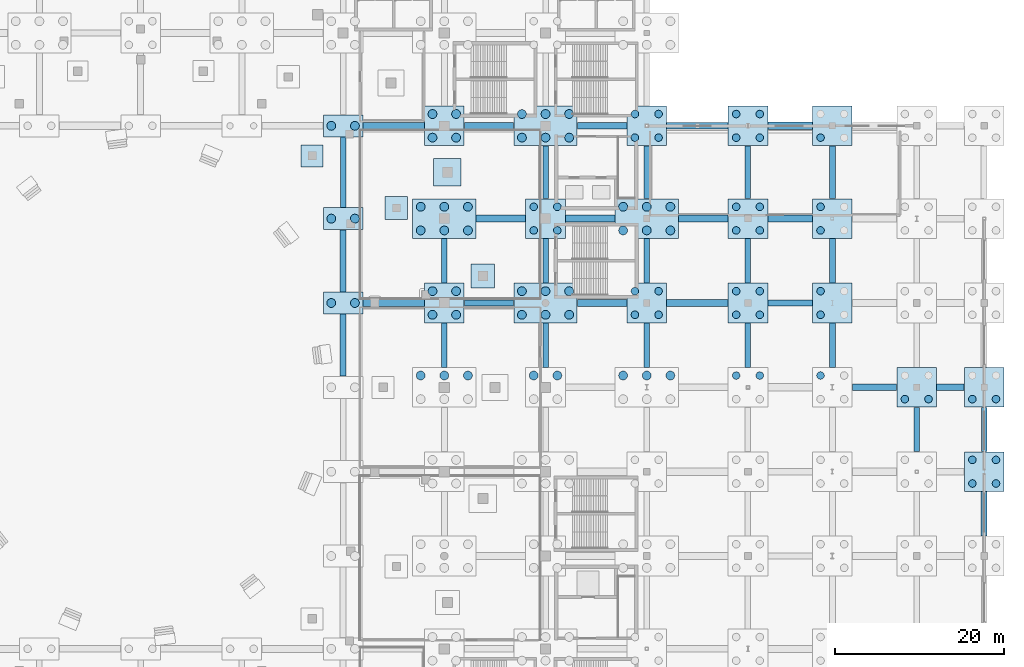
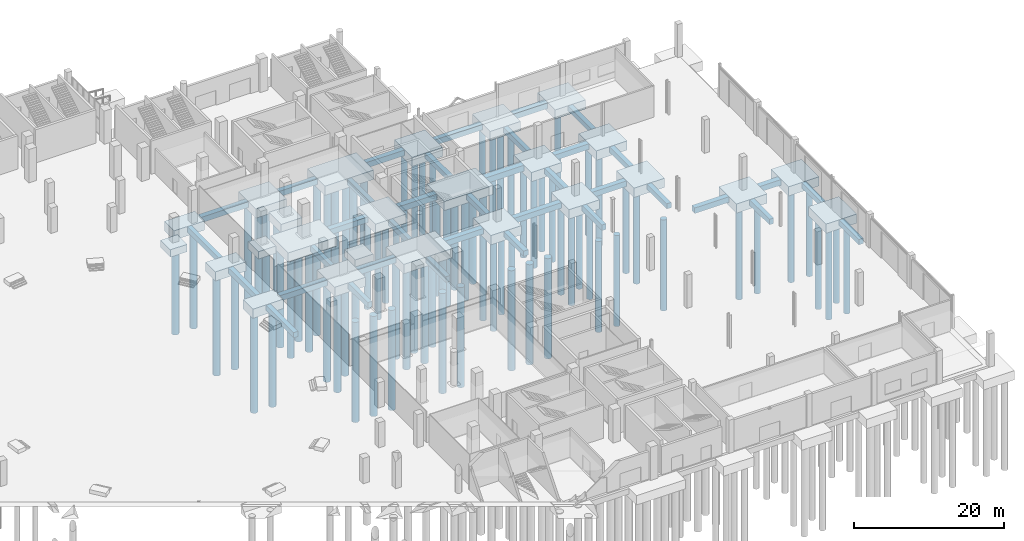
# One storey, part 8 of 70: 86 piles, 61 footings.
"""IFC4 building model written with IfcOpenShell, lengths in metres."""

from ifc_helpers import new_model, si_unit, direction, frame, origin, origin_2d, place, context, subcontext, project, spatial, rectangle, circle, extrude, material, layer, layer_set, material_profile, profile_set, type_object, element, save


model = new_model("IFC4")

# Units and contexts
model_context = context("Model", 3, precision=1e-05, world=origin(), true_north=direction((0.0, 1.0)))
body_context = subcontext(model_context, "Body", "Model", "MODEL_VIEW")
ifc_project = project(units=[si_unit("LENGTHUNIT", "METRE"), si_unit("AREAUNIT", "SQUARE_METRE"), si_unit("VOLUMEUNIT", "CUBIC_METRE"), si_unit("PLANEANGLEUNIT", "RADIAN"), si_unit("MASSUNIT", "GRAM", prefix="KILO")], contexts=[model_context])

# Site, building, storey
site_placement = place(None, origin())
site = spatial("IfcSite", under=ifc_project, at=site_placement, CompositionType="ELEMENT")
building_placement = place(site_placement, origin())
building = spatial("IfcBuilding", under=site, at=building_placement, Name="Brinegate Civic Arena", CompositionType="ELEMENT")
storey_placement = place(building_placement, origin())
storey = spatial("IfcBuildingStorey", under=building, at=storey_placement, Name="L00", CompositionType="ELEMENT", Elevation=0.0)

# Footings
ifc_material = material(Name="Concrete C40/50", Category="concrete")
ifc_layer_1 = layer(ifc_material, 1.5, Name="Concrete C40/50")
ifc_layer_set_1 = layer_set([ifc_layer_1], Name="Concrete C40/50")
footing_type_1 = type_object("IfcFootingType", Name="CAP-2PILE-3800", PredefinedType="PILE_CAP", material=ifc_layer_set_1)
for number, where, z_axis, x_axis, name in (
    (1, (132.0, 72.0, -1.800048828125), (0.0, 0.0, 1.0), (1.0, 0.0, 0.0), "Pile Cap CAP-128 (12-H)"),
    (2, (132.0, 82.0, -1.800048828125), (0.0, 0.0, 1.0), (1.0, 0.0, 0.0), "Pile Cap CAP-129 (12-J)"),
    (3, (132.0, 93.0, -1.800048828125), (0.0, 0.0, 1.0), (1.0, 0.0, 0.0), "Pile Cap CAP-130 (12-K)"),
):
    element("IfcFooting", number, at=place(storey_placement, frame(where, z_axis=z_axis, x_axis=x_axis)), inside=storey, type_object=footing_type_1, Name=name, PredefinedType="PILE_CAP", context=body_context, shape_type="SweptSolid", body=[
        extrude(rectangle(XDim=4.699951171875, YDim=2.60009765625, at=origin_2d()), origin(), (0.0, 0.0, 1.0), 1.5),
    ])
ifc_layer_2 = layer(ifc_material, 1.5, Name="Concrete C40/50")
ifc_layer_set_2 = layer_set([ifc_layer_2], Name="Concrete C40/50")
footing_type_2 = type_object("IfcFootingType", Name="CAP-4PILE-3800", PredefinedType="PILE_CAP", material=ifc_layer_set_2)
for number, where, z_axis, x_axis, name in (
    (4, (144.0, 72.0, -1.800048828125), (0.0, 0.0, 1.0), (1.0, 0.0, 0.0), "Pile Cap CAP-140 (13-H)"),
    (5, (144.0, 93.0, -1.800048828125), (0.0, 0.0, 1.0), (1.0, 0.0, 0.0), "Pile Cap CAP-142 (13-K)"),
    (6, (156.0, 82.0, -1.800048828125), (0.0, 0.0, 1.0), (1.0, 0.0, 0.0), "Pile Cap CAP-152 (14-J)"),
    (7, (168.0, 72.0, -1.800048828125), (0.0, 0.0, 1.0), (1.0, 0.0, 0.0), "Pile Cap CAP-162 (15-H)"),
    (8, (168.0, 93.0, -1.800048828125), (0.0, 0.0, 1.0), (1.0, 0.0, 0.0), "Pile Cap CAP-164 (15-K)"),
    (9, (180.0, 72.0, -1.800048828125), (0.0, 0.0, 1.0), (1.0, 0.0, 0.0), "Pile Cap CAP-173 (16-H)"),
    (10, (180.0, 82.0, -1.800048828125), (0.0, 0.0, 1.0), (1.0, 0.0, 0.0), "Pile Cap CAP-174 (16-J)"),
    (11, (180.0, 93.0, -1.800048828125), (0.0, 0.0, 1.0), (1.0, 0.0, 0.0), "Pile Cap CAP-175 (16-K)"),
    (12, (190.0, 72.0, -1.800048828125), (0.0, 0.0, 1.0), (1.0, 0.0, 0.0), "Pile Cap CAP-182 (17-H)"),
    (13, (190.0, 82.0, -1.800048828125), (0.0, 0.0, 1.0), (1.0, 0.0, 0.0), "Pile Cap CAP-183 (17-J)"),
    (14, (190.0, 93.0, -1.800048828125), (0.0, 0.0, 1.0), (1.0, 0.0, 0.0), "Pile Cap CAP-184 (17-K)"),
    (15, (200.0, 62.0, -1.800048828125), (0.0, 0.0, 1.0), (1.0, 0.0, 0.0), "Pile Cap CAP-190 (18-G)"),
    (16, (208.0, 52.0, -1.800048828125), (0.0, 0.0, 1.0), (1.0, 0.0, 0.0), "Pile Cap CAP-198 (19-F)"),
    (17, (208.0, 62.0, -1.800048828125), (0.0, 0.0, 1.0), (1.0, 0.0, 0.0), "Pile Cap CAP-199 (19-G)"),
):
    element("IfcFooting", number, at=place(storey_placement, frame(where, z_axis=z_axis, x_axis=x_axis)), inside=storey, type_object=footing_type_2, Name=name, PredefinedType="PILE_CAP", context=body_context, shape_type="SweptSolid", body=[
        extrude(rectangle(XDim=4.699951171875, YDim=4.699951171875, at=origin_2d()), origin(), (0.0, 0.0, 1.0), 1.5),
    ])
ifc_layer_3 = layer(ifc_material, 1.5, Name="Concrete C40/50")
ifc_layer_set_3 = layer_set([ifc_layer_3], Name="Concrete C40/50")
footing_type_3 = type_object("IfcFootingType", Name="CAP-6PILE-5400", PredefinedType="PILE_CAP", material=ifc_layer_set_3)
for number, where, z_axis, x_axis, name in (
    (18, (144.0, 82.0, -1.800048828125), (0.0, 0.0, 1.0), (1.0, 0.0, 0.0), "Pile Cap CAP-141 (13-J)"),
    (19, (156.0, 72.0, -1.800048828125), (0.0, 0.0, 1.0), (1.0, 0.0, 0.0), "Pile Cap CAP-151 (14-H)"),
    (20, (156.0, 93.0, -1.800048828125), (0.0, 0.0, 1.0), (1.0, 0.0, 0.0), "Pile Cap CAP-153 (14-K)"),
    (21, (168.0, 82.0, -1.800048828125), (0.0, 0.0, 1.0), (1.0, 0.0, 0.0), "Pile Cap CAP-163 (15-J)"),
):
    element("IfcFooting", number, at=place(storey_placement, frame(where, z_axis=z_axis, x_axis=x_axis)), inside=storey, type_object=footing_type_3, Name=name, PredefinedType="PILE_CAP", context=body_context, shape_type="SweptSolid", body=[
        extrude(rectangle(XDim=7.5, YDim=4.699951171875, at=origin_2d()), origin(), (0.0, 0.0, 1.0), 1.5),
    ])
ifc_layer_4 = layer(ifc_material, 1.199951171875, Name="Concrete C40/50")
ifc_layer_set_4 = layer_set([ifc_layer_4], Name="Concrete C40/50")
footing_type_4 = type_object("IfcFootingType", Name="PAD-FOOT-2600", PredefinedType="PAD_FOOTING", material=ifc_layer_set_4)
footing_1_placement = place(storey_placement, frame((128.3291015625, 89.444091796875, -1.5), z_axis=(0.0, 0.0, 1.0), x_axis=(1.0, 0.0, 0.0)))
element("IfcFooting", 22, at=footing_1_placement, inside=storey, type_object=footing_type_4, Name="Pad Footing PAD-002", PredefinedType="PAD_FOOTING", context=body_context, shape_type="SweptSolid", body=[
    extrude(rectangle(XDim=2.60009765625, YDim=2.60009765625, at=origin_2d()), origin(), (0.0, 0.0, 1.0), 1.199951171875),
])
ifc_layer_5 = layer(ifc_material, 1.199951171875, Name="Concrete C40/50")
ifc_layer_set_5 = layer_set([ifc_layer_5], Name="Concrete C40/50")
footing_type_5 = type_object("IfcFootingType", Name="PAD-FOOT-2700", PredefinedType="PAD_FOOTING", material=ifc_layer_set_5)
footing_2_placement = place(storey_placement, frame((138.31103515625, 83.25, -1.5), z_axis=(0.0, 0.0, 1.0), x_axis=(1.0, 0.0, 0.0)))
element("IfcFooting", 23, at=footing_2_placement, inside=storey, type_object=footing_type_5, Name="Pad Footing PAD-011", PredefinedType="PAD_FOOTING", context=body_context, shape_type="SweptSolid", body=[
    extrude(rectangle(XDim=2.699951171875, YDim=2.699951171875, at=origin_2d()), origin(), (0.0, 0.0, 1.0), 1.199951171875),
])
ifc_layer_6 = layer(ifc_material, 1.199951171875, Name="Concrete C40/50")
ifc_layer_set_6 = layer_set([ifc_layer_6], Name="Concrete C40/50")
footing_type_6 = type_object("IfcFootingType", Name="PAD-FOOT-2800", PredefinedType="PAD_FOOTING", material=ifc_layer_set_6)
footing_3_placement = place(storey_placement, frame((148.569091796875, 75.199951171875, -1.5), z_axis=(0.0, 0.0, 1.0), x_axis=(1.0, 0.0, 0.0)))
element("IfcFooting", 24, at=footing_3_placement, inside=storey, type_object=footing_type_6, Name="Pad Footing PAD-020", PredefinedType="PAD_FOOTING", context=body_context, shape_type="SweptSolid", body=[
    extrude(rectangle(XDim=2.800048828125, YDim=2.800048828125, at=origin_2d()), origin(), (0.0, 0.0, 1.0), 1.199951171875),
])
ifc_layer_7 = layer(ifc_material, 1.35009765625, Name="Concrete C40/50")
ifc_layer_set_7 = layer_set([ifc_layer_7], Name="Concrete C40/50")
footing_type_7 = type_object("IfcFootingType", Name="PAD-FOOT-3250", PredefinedType="PAD_FOOTING", material=ifc_layer_set_7)
footing_4_placement = place(storey_placement, frame((144.373046875, 87.5, -1.650146484375), z_axis=(0.0, 0.0, 1.0), x_axis=(1.0, 0.0, 0.0)))
element("IfcFooting", 25, at=footing_4_placement, inside=storey, type_object=footing_type_7, Name="Pad Footing PAD-021", PredefinedType="PAD_FOOTING", context=body_context, shape_type="SweptSolid", body=[
    extrude(rectangle(XDim=3.25, YDim=3.25, at=origin_2d()), origin(), (0.0, 0.0, 1.0), 1.35009765625),
])

# Piles
ifc_material_profile_1 = material_profile(ifc_material, circle(Radius=0.52490234375, at=origin_2d()), Name="PILED1050")
ifc_profile_set_1 = profile_set([ifc_material_profile_1], Name="Concrete C40/50")
pile_type_1 = type_object("IfcPileType", Name="PILE-BORED-1050", PredefinedType="BORED", material=ifc_profile_set_1)
for number, where, z_axis, x_axis, name in (
    (26, (130.60009765625, 72.0, -1.699951171875), (0.0, 0.0, -1.0), (1.0, 0.0, 0.0), "Bored Socket Pile PIL-0445"),
    (27, (133.39990234375, 72.0, -1.699951171875), (0.0, 0.0, -1.0), (1.0, 0.0, 0.0), "Bored Socket Pile PIL-0446"),
    (28, (130.60009765625, 82.0, -1.699951171875), (0.0, 0.0, -1.0), (1.0, 0.0, 0.0), "Bored Socket Pile PIL-0447"),
    (29, (133.39990234375, 82.0, -1.699951171875), (0.0, 0.0, -1.0), (1.0, 0.0, 0.0), "Bored Socket Pile PIL-0448"),
    (30, (130.60009765625, 93.0, -1.699951171875), (0.0, 0.0, -1.0), (1.0, 0.0, 0.0), "Bored Socket Pile PIL-0449"),
    (31, (133.39990234375, 93.0, -1.699951171875), (0.0, 0.0, -1.0), (1.0, 0.0, 0.0), "Bored Socket Pile PIL-0450"),
    (32, (141.199951171875, 63.39990234375, -1.699951171875), (0.0, 0.0, -1.0), (1.0, 0.0, 0.0), "Bored Socket Pile PIL-0492"),
    (33, (144.0, 63.39990234375, -1.699951171875), (0.0, 0.0, -1.0), (1.0, 0.0, 0.0), "Bored Socket Pile PIL-0493"),
    (34, (146.800048828125, 63.39990234375, -1.699951171875), (0.0, 0.0, -1.0), (1.0, 0.0, 0.0), "Bored Socket Pile PIL-0494"),
    (35, (142.60009765625, 70.60009765625, -1.699951171875), (0.0, 0.0, -1.0), (1.0, 0.0, 0.0), "Bored Socket Pile PIL-0495"),
    (36, (145.39990234375, 70.60009765625, -1.699951171875), (0.0, 0.0, -1.0), (1.0, 0.0, 0.0), "Bored Socket Pile PIL-0496"),
    (37, (142.60009765625, 73.39990234375, -1.699951171875), (0.0, 0.0, -1.0), (1.0, 0.0, 0.0), "Bored Socket Pile PIL-0497"),
    (38, (145.39990234375, 73.39990234375, -1.699951171875), (0.0, 0.0, -1.0), (1.0, 0.0, 0.0), "Bored Socket Pile PIL-0498"),
    (39, (141.199951171875, 80.60009765625, -1.699951171875), (0.0, 0.0, -1.0), (1.0, 0.0, 0.0), "Bored Socket Pile PIL-0499"),
    (40, (144.0, 80.60009765625, -1.699951171875), (0.0, 0.0, -1.0), (1.0, 0.0, 0.0), "Bored Socket Pile PIL-0500"),
    (41, (146.800048828125, 80.60009765625, -1.699951171875), (0.0, 0.0, -1.0), (1.0, 0.0, 0.0), "Bored Socket Pile PIL-0501"),
    (42, (141.199951171875, 83.39990234375, -1.699951171875), (0.0, 0.0, -1.0), (1.0, 0.0, 0.0), "Bored Socket Pile PIL-0502"),
    (43, (144.0, 83.39990234375, -1.699951171875), (0.0, 0.0, -1.0), (1.0, 0.0, 0.0), "Bored Socket Pile PIL-0503"),
    (44, (146.800048828125, 83.39990234375, -1.699951171875), (0.0, 0.0, -1.0), (1.0, 0.0, 0.0), "Bored Socket Pile PIL-0504"),
    (45, (142.60009765625, 91.60009765625, -1.699951171875), (0.0, 0.0, -1.0), (1.0, 0.0, 0.0), "Bored Socket Pile PIL-0505"),
    (46, (145.39990234375, 91.60009765625, -1.699951171875), (0.0, 0.0, -1.0), (1.0, 0.0, 0.0), "Bored Socket Pile PIL-0506"),
    (47, (142.60009765625, 94.39990234375, -1.699951171875), (0.0, 0.0, -1.0), (1.0, 0.0, 0.0), "Bored Socket Pile PIL-0507"),
    (48, (145.39990234375, 94.39990234375, -1.699951171875), (0.0, 0.0, -1.0), (1.0, 0.0, 0.0), "Bored Socket Pile PIL-0508"),
    (49, (154.60009765625, 63.39990234375, -1.699951171875), (0.0, 0.0, -1.0), (1.0, 0.0, 0.0), "Bored Socket Pile PIL-0547"),
    (50, (157.39990234375, 63.39990234375, -1.699951171875), (0.0, 0.0, -1.0), (1.0, 0.0, 0.0), "Bored Socket Pile PIL-0548"),
    (51, (153.199951171875, 70.60009765625, -1.699951171875), (0.0, 0.0, -1.0), (1.0, 0.0, 0.0), "Bored Socket Pile PIL-0549"),
    (52, (156.0, 70.60009765625, -1.699951171875), (0.0, 0.0, -1.0), (1.0, 0.0, 0.0), "Bored Socket Pile PIL-0550"),
    (53, (158.800048828125, 70.60009765625, -1.699951171875), (0.0, 0.0, -1.0), (1.0, 0.0, 0.0), "Bored Socket Pile PIL-0551"),
    (54, (153.199951171875, 73.39990234375, -1.699951171875), (0.0, 0.0, -1.0), (1.0, 0.0, 0.0), "Bored Socket Pile PIL-0552"),
    (55, (156.0, 73.39990234375, -1.699951171875), (0.0, 0.0, -1.0), (1.0, 0.0, 0.0), "Bored Socket Pile PIL-0553"),
    (56, (158.800048828125, 73.39990234375, -1.699951171875), (0.0, 0.0, -1.0), (1.0, 0.0, 0.0), "Bored Socket Pile PIL-0554"),
    (57, (153.199951171875, 91.60009765625, -1.699951171875), (0.0, 0.0, -1.0), (1.0, 0.0, 0.0), "Bored Socket Pile PIL-0559"),
    (58, (156.0, 91.60009765625, -1.699951171875), (0.0, 0.0, -1.0), (1.0, 0.0, 0.0), "Bored Socket Pile PIL-0560"),
    (59, (158.800048828125, 91.60009765625, -1.699951171875), (0.0, 0.0, -1.0), (1.0, 0.0, 0.0), "Bored Socket Pile PIL-0561"),
    (60, (153.199951171875, 94.39990234375, -1.699951171875), (0.0, 0.0, -1.0), (1.0, 0.0, 0.0), "Bored Socket Pile PIL-0562"),
    (61, (156.0, 94.39990234375, -1.699951171875), (0.0, 0.0, -1.0), (1.0, 0.0, 0.0), "Bored Socket Pile PIL-0563"),
    (62, (158.800048828125, 94.39990234375, -1.699951171875), (0.0, 0.0, -1.0), (1.0, 0.0, 0.0), "Bored Socket Pile PIL-0564"),
    (63, (165.199951171875, 63.39990234375, -1.699951171875), (0.0, 0.0, -1.0), (1.0, 0.0, 0.0), "Bored Socket Pile PIL-0602"),
    (64, (168.0, 63.39990234375, -1.699951171875), (0.0, 0.0, -1.0), (1.0, 0.0, 0.0), "Bored Socket Pile PIL-0603"),
    (65, (170.800048828125, 63.39990234375, -1.699951171875), (0.0, 0.0, -1.0), (1.0, 0.0, 0.0), "Bored Socket Pile PIL-0604"),
    (66, (165.199951171875, 80.60009765625, -1.699951171875), (0.0, 0.0, -1.0), (1.0, 0.0, 0.0), "Bored Socket Pile PIL-0609"),
    (67, (168.0, 80.60009765625, -1.699951171875), (0.0, 0.0, -1.0), (1.0, 0.0, 0.0), "Bored Socket Pile PIL-0610"),
    (68, (170.800048828125, 80.60009765625, -1.699951171875), (0.0, 0.0, -1.0), (1.0, 0.0, 0.0), "Bored Socket Pile PIL-0611"),
    (69, (165.199951171875, 83.39990234375, -1.699951171875), (0.0, 0.0, -1.0), (1.0, 0.0, 0.0), "Bored Socket Pile PIL-0612"),
    (70, (168.0, 83.39990234375, -1.699951171875), (0.0, 0.0, -1.0), (1.0, 0.0, 0.0), "Bored Socket Pile PIL-0613"),
    (71, (170.800048828125, 83.39990234375, -1.699951171875), (0.0, 0.0, -1.0), (1.0, 0.0, 0.0), "Bored Socket Pile PIL-0614"),
):
    element("IfcPile", number, at=place(storey_placement, frame(where, z_axis=z_axis, x_axis=x_axis)), inside=storey, type_object=pile_type_1, Name=name, PredefinedType="BORED", context=body_context, shape_type="SweptSolid", body=[
        extrude(circle(Radius=0.52490234375, at=origin_2d()), origin(), (0.0, 0.0, 1.0), 16.300048828125),
    ])
ifc_material_profile_2 = material_profile(ifc_material, circle(Radius=0.449951171875, at=origin_2d()), Name="PILED900")
ifc_profile_set_2 = profile_set([ifc_material_profile_2], Name="Concrete C40/50")
pile_type_2 = type_object("IfcPileType", Name="PILE-BORED-900", PredefinedType="BORED", material=ifc_profile_set_2)
for number, where, z_axis, x_axis, name in (
    (72, (154.60009765625, 80.60009765625, -1.699951171875), (0.0, 0.0, -1.0), (1.0, 0.0, 0.0), "Bored Socket Pile PIL-0555"),
    (73, (157.39990234375, 80.60009765625, -1.699951171875), (0.0, 0.0, -1.0), (1.0, 0.0, 0.0), "Bored Socket Pile PIL-0556"),
    (74, (154.60009765625, 83.39990234375, -1.699951171875), (0.0, 0.0, -1.0), (1.0, 0.0, 0.0), "Bored Socket Pile PIL-0557"),
    (75, (157.39990234375, 83.39990234375, -1.699951171875), (0.0, 0.0, -1.0), (1.0, 0.0, 0.0), "Bored Socket Pile PIL-0558"),
    (76, (166.60009765625, 70.60009765625, -1.699951171875), (0.0, 0.0, -1.0), (1.0, 0.0, 0.0), "Bored Socket Pile PIL-0605"),
    (77, (169.39990234375, 70.60009765625, -1.699951171875), (0.0, 0.0, -1.0), (1.0, 0.0, 0.0), "Bored Socket Pile PIL-0606"),
    (78, (166.60009765625, 73.39990234375, -1.699951171875), (0.0, 0.0, -1.0), (1.0, 0.0, 0.0), "Bored Socket Pile PIL-0607"),
    (79, (169.39990234375, 73.39990234375, -1.699951171875), (0.0, 0.0, -1.0), (1.0, 0.0, 0.0), "Bored Socket Pile PIL-0608"),
    (80, (166.60009765625, 91.60009765625, -1.699951171875), (0.0, 0.0, -1.0), (1.0, 0.0, 0.0), "Bored Socket Pile PIL-0615"),
    (81, (169.39990234375, 91.60009765625, -1.699951171875), (0.0, 0.0, -1.0), (1.0, 0.0, 0.0), "Bored Socket Pile PIL-0616"),
    (82, (166.60009765625, 94.39990234375, -1.699951171875), (0.0, 0.0, -1.0), (1.0, 0.0, 0.0), "Bored Socket Pile PIL-0617"),
    (83, (169.39990234375, 94.39990234375, -1.699951171875), (0.0, 0.0, -1.0), (1.0, 0.0, 0.0), "Bored Socket Pile PIL-0618"),
    (84, (178.60009765625, 63.39990234375, -1.699951171875), (0.0, 0.0, -1.0), (1.0, 0.0, 0.0), "Bored Socket Pile PIL-0651"),
    (85, (181.39990234375, 63.39990234375, -1.699951171875), (0.0, 0.0, -1.0), (1.0, 0.0, 0.0), "Bored Socket Pile PIL-0652"),
    (86, (178.60009765625, 70.60009765625, -1.699951171875), (0.0, 0.0, -1.0), (1.0, 0.0, 0.0), "Bored Socket Pile PIL-0653"),
    (87, (181.39990234375, 70.60009765625, -1.699951171875), (0.0, 0.0, -1.0), (1.0, 0.0, 0.0), "Bored Socket Pile PIL-0654"),
    (88, (178.60009765625, 73.39990234375, -1.699951171875), (0.0, 0.0, -1.0), (1.0, 0.0, 0.0), "Bored Socket Pile PIL-0655"),
    (89, (181.39990234375, 73.39990234375, -1.699951171875), (0.0, 0.0, -1.0), (1.0, 0.0, 0.0), "Bored Socket Pile PIL-0656"),
    (90, (178.60009765625, 80.60009765625, -1.699951171875), (0.0, 0.0, -1.0), (1.0, 0.0, 0.0), "Bored Socket Pile PIL-0657"),
    (91, (181.39990234375, 80.60009765625, -1.699951171875), (0.0, 0.0, -1.0), (1.0, 0.0, 0.0), "Bored Socket Pile PIL-0658"),
    (92, (178.60009765625, 83.39990234375, -1.699951171875), (0.0, 0.0, -1.0), (1.0, 0.0, 0.0), "Bored Socket Pile PIL-0659"),
    (93, (181.39990234375, 83.39990234375, -1.699951171875), (0.0, 0.0, -1.0), (1.0, 0.0, 0.0), "Bored Socket Pile PIL-0660"),
    (94, (178.60009765625, 91.60009765625, -1.699951171875), (0.0, 0.0, -1.0), (1.0, 0.0, 0.0), "Bored Socket Pile PIL-0661"),
    (95, (181.39990234375, 91.60009765625, -1.699951171875), (0.0, 0.0, -1.0), (1.0, 0.0, 0.0), "Bored Socket Pile PIL-0662"),
    (96, (178.60009765625, 94.39990234375, -1.699951171875), (0.0, 0.0, -1.0), (1.0, 0.0, 0.0), "Bored Socket Pile PIL-0663"),
    (97, (181.39990234375, 94.39990234375, -1.699951171875), (0.0, 0.0, -1.0), (1.0, 0.0, 0.0), "Bored Socket Pile PIL-0664"),
    (98, (188.60009765625, 63.39990234375, -1.699951171875), (0.0, 0.0, -1.0), (1.0, 0.0, 0.0), "Bored Socket Pile PIL-0687"),
    (99, (188.60009765625, 70.60009765625, -1.699951171875), (0.0, 0.0, -1.0), (1.0, 0.0, 0.0), "Bored Socket Pile PIL-0689"),
    (100, (188.60009765625, 73.39990234375, -1.699951171875), (0.0, 0.0, -1.0), (1.0, 0.0, 0.0), "Bored Socket Pile PIL-0691"),
    (101, (188.60009765625, 80.60009765625, -1.699951171875), (0.0, 0.0, -1.0), (1.0, 0.0, 0.0), "Bored Socket Pile PIL-0693"),
    (102, (188.60009765625, 83.39990234375, -1.699951171875), (0.0, 0.0, -1.0), (1.0, 0.0, 0.0), "Bored Socket Pile PIL-0695"),
    (103, (188.60009765625, 91.60009765625, -1.699951171875), (0.0, 0.0, -1.0), (1.0, 0.0, 0.0), "Bored Socket Pile PIL-0697"),
    (104, (198.60009765625, 60.60009765625, -1.699951171875), (0.0, 0.0, -1.0), (1.0, 0.0, 0.0), "Bored Socket Pile PIL-0721"),
    (105, (201.39990234375, 60.60009765625, -1.699951171875), (0.0, 0.0, -1.0), (1.0, 0.0, 0.0), "Bored Socket Pile PIL-0722"),
    (106, (206.60009765625, 50.60009765625, -1.699951171875), (0.0, 0.0, -1.0), (1.0, 0.0, 0.0), "Bored Socket Pile PIL-0753"),
    (107, (209.39990234375, 50.60009765625, -1.699951171875), (0.0, 0.0, -1.0), (1.0, 0.0, 0.0), "Bored Socket Pile PIL-0754"),
    (108, (206.60009765625, 53.39990234375, -1.699951171875), (0.0, 0.0, -1.0), (1.0, 0.0, 0.0), "Bored Socket Pile PIL-0755"),
    (109, (209.39990234375, 53.39990234375, -1.699951171875), (0.0, 0.0, -1.0), (1.0, 0.0, 0.0), "Bored Socket Pile PIL-0756"),
    (110, (206.60009765625, 60.60009765625, -1.699951171875), (0.0, 0.0, -1.0), (1.0, 0.0, 0.0), "Bored Socket Pile PIL-0757"),
    (111, (209.39990234375, 60.60009765625, -1.699951171875), (0.0, 0.0, -1.0), (1.0, 0.0, 0.0), "Bored Socket Pile PIL-0758"),
):
    element("IfcPile", number, at=place(storey_placement, frame(where, z_axis=z_axis, x_axis=x_axis)), inside=storey, type_object=pile_type_2, Name=name, PredefinedType="BORED", context=body_context, shape_type="SweptSolid", body=[
        extrude(circle(Radius=0.449951171875, at=origin_2d()), origin(), (0.0, 0.0, 1.0), 14.800048828125),
    ])

# Footings
ifc_layer_8 = layer(ifc_material, 0.89990234375, Name="Concrete C40/50")
ifc_layer_set_8 = layer_set([ifc_layer_8], Name="Concrete C40/50")
footing_type_8 = type_object("IfcFootingType", Name="TIE-BEAM-650X900", PredefinedType="FOOTING_BEAM", material=ifc_layer_set_8)
footing_5_placement = place(storey_placement, frame((132.0, 87.5, -1.199951171875), z_axis=(0.0, 0.0, 1.0), x_axis=(0.0, 1.0, 0.0)))
element("IfcFooting", 112, at=footing_5_placement, inside=storey, type_object=footing_type_8, Name="Ground Tie Beam GTB-218", PredefinedType="FOOTING_BEAM", context=body_context, shape_type="SweptSolid", body=[
    extrude(rectangle(XDim=8.360107421875, YDim=0.64990234375, at=origin_2d()), origin(), (0.0, 0.0, 1.0), 0.89990234375),
])
for number, where, z_axis, x_axis, name in (
    (113, (144.0, 67.0, -1.199951171875), (0.0, 0.0, 1.0), (0.0, 1.0, 0.0), "Ground Tie Beam GTB-234"),
    (114, (144.0, 77.0, -1.199951171875), (0.0, 0.0, 1.0), (0.0, 1.0, 0.0), "Ground Tie Beam GTB-236"),
    (115, (156.0, 67.0, -1.199951171875), (0.0, 0.0, 1.0), (0.0, 1.0, 0.0), "Ground Tie Beam GTB-254"),
    (116, (156.0, 77.0, -1.199951171875), (0.0, 0.0, 1.0), (0.0, 1.0, 0.0), "Ground Tie Beam GTB-256"),
):
    element("IfcFooting", number, at=place(storey_placement, frame(where, z_axis=z_axis, x_axis=x_axis)), inside=storey, type_object=footing_type_8, Name=name, PredefinedType="FOOTING_BEAM", context=body_context, shape_type="SweptSolid", body=[
        extrude(rectangle(XDim=5.260009765625, YDim=0.64990234375, at=origin_2d()), origin(), (0.0, 0.0, 1.0), 0.89990234375),
    ])
footing_6_placement = place(storey_placement, frame((156.0, 87.5, -1.199951171875), z_axis=(0.0, 0.0, 1.0), x_axis=(0.0, 1.0, 0.0)))
element("IfcFooting", 117, at=footing_6_placement, inside=storey, type_object=footing_type_8, Name="Ground Tie Beam GTB-258", PredefinedType="FOOTING_BEAM", context=body_context, shape_type="SweptSolid", body=[
    extrude(rectangle(XDim=6.260009765625, YDim=0.64990234375, at=origin_2d()), origin(), (0.0, 0.0, 1.0), 0.89990234375),
])
for number, where, z_axis, x_axis, name in (
    (118, (180.0, 67.0, -1.199951171875), (0.0, 0.0, 1.0), (0.0, 1.0, 0.0), "Ground Tie Beam GTB-294"),
    (119, (180.0, 77.0, -1.199951171875), (0.0, 0.0, 1.0), (0.0, 1.0, 0.0), "Ground Tie Beam GTB-296"),
):
    element("IfcFooting", number, at=place(storey_placement, frame(where, z_axis=z_axis, x_axis=x_axis)), inside=storey, type_object=footing_type_8, Name=name, PredefinedType="FOOTING_BEAM", context=body_context, shape_type="SweptSolid", body=[
        extrude(rectangle(XDim=5.260009765625, YDim=0.64990234375, at=origin_2d()), origin(), (0.0, 0.0, 1.0), 0.89990234375),
    ])
footing_7_placement = place(storey_placement, frame((180.0, 87.5, -1.199951171875), z_axis=(0.0, 0.0, 1.0), x_axis=(0.0, 1.0, 0.0)))
element("IfcFooting", 120, at=footing_7_placement, inside=storey, type_object=footing_type_8, Name="Ground Tie Beam GTB-298", PredefinedType="FOOTING_BEAM", context=body_context, shape_type="SweptSolid", body=[
    extrude(rectangle(XDim=6.260009765625, YDim=0.64990234375, at=origin_2d()), origin(), (0.0, 0.0, 1.0), 0.89990234375),
])
for number, where, z_axis, x_axis, name in (
    (121, (200.0, 57.0, -1.199951171875), (0.0, 0.0, 1.0), (0.0, 1.0, 0.0), "Ground Tie Beam GTB-326"),
    (122, (208.0, 57.0, -1.199951171875), (0.0, 0.0, 1.0), (0.0, 1.0, 0.0), "Ground Tie Beam GTB-338"),
):
    element("IfcFooting", number, at=place(storey_placement, frame(where, z_axis=z_axis, x_axis=x_axis)), inside=storey, type_object=footing_type_8, Name=name, PredefinedType="FOOTING_BEAM", context=body_context, shape_type="SweptSolid", body=[
        extrude(rectangle(XDim=5.260009765625, YDim=0.64990234375, at=origin_2d()), origin(), (0.0, 0.0, 1.0), 0.89990234375),
    ])
ifc_layer_9 = layer(ifc_material, 0.85009765625, Name="Concrete C40/50")
ifc_layer_set_9 = layer_set([ifc_layer_9], Name="Concrete C40/50")
footing_type_9 = type_object("IfcFootingType", Name="TIE-BEAM-700X850", PredefinedType="FOOTING_BEAM", material=ifc_layer_set_9)
for number, where, z_axis, x_axis, name in (
    (123, (132.0, 67.0, -1.175048828125), (0.0, 0.0, 1.0), (0.0, 1.0, 0.0), "Ground Tie Beam GTB-215"),
    (124, (132.0, 77.0, -1.175048828125), (0.0, 0.0, 1.0), (0.0, 1.0, 0.0), "Ground Tie Beam GTB-217"),
):
    element("IfcFooting", number, at=place(storey_placement, frame(where, z_axis=z_axis, x_axis=x_axis)), inside=storey, type_object=footing_type_9, Name=name, PredefinedType="FOOTING_BEAM", context=body_context, shape_type="SweptSolid", body=[
        extrude(rectangle(XDim=7.360107421875, YDim=0.699951171875, at=origin_2d()), origin(), (0.0, 0.0, 1.0), 0.85009765625),
    ])
for number, where, z_axis, x_axis, name in (
    (125, (168.0, 67.0, -1.175048828125), (0.0, 0.0, 1.0), (0.0, 1.0, 0.0), "Ground Tie Beam GTB-275"),
    (126, (168.0, 77.0, -1.175048828125), (0.0, 0.0, 1.0), (0.0, 1.0, 0.0), "Ground Tie Beam GTB-277"),
):
    element("IfcFooting", number, at=place(storey_placement, frame(where, z_axis=z_axis, x_axis=x_axis)), inside=storey, type_object=footing_type_9, Name=name, PredefinedType="FOOTING_BEAM", context=body_context, shape_type="SweptSolid", body=[
        extrude(rectangle(XDim=5.260009765625, YDim=0.699951171875, at=origin_2d()), origin(), (0.0, 0.0, 1.0), 0.85009765625),
    ])
footing_8_placement = place(storey_placement, frame((168.0, 87.5, -1.175048828125), z_axis=(0.0, 0.0, 1.0), x_axis=(0.0, 1.0, 0.0)))
element("IfcFooting", 127, at=footing_8_placement, inside=storey, type_object=footing_type_9, Name="Ground Tie Beam GTB-279", PredefinedType="FOOTING_BEAM", context=body_context, shape_type="SweptSolid", body=[
    extrude(rectangle(XDim=6.260009765625, YDim=0.699951171875, at=origin_2d()), origin(), (0.0, 0.0, 1.0), 0.85009765625),
])
for number, where, z_axis, x_axis, name in (
    (128, (190.0, 67.0, -1.175048828125), (0.0, 0.0, 1.0), (0.0, 1.0, 0.0), "Ground Tie Beam GTB-311"),
    (129, (190.0, 77.0, -1.175048828125), (0.0, 0.0, 1.0), (0.0, 1.0, 0.0), "Ground Tie Beam GTB-313"),
):
    element("IfcFooting", number, at=place(storey_placement, frame(where, z_axis=z_axis, x_axis=x_axis)), inside=storey, type_object=footing_type_9, Name=name, PredefinedType="FOOTING_BEAM", context=body_context, shape_type="SweptSolid", body=[
        extrude(rectangle(XDim=5.260009765625, YDim=0.699951171875, at=origin_2d()), origin(), (0.0, 0.0, 1.0), 0.85009765625),
    ])
footing_9_placement = place(storey_placement, frame((190.0, 87.5, -1.175048828125), z_axis=(0.0, 0.0, 1.0), x_axis=(0.0, 1.0, 0.0)))
element("IfcFooting", 130, at=footing_9_placement, inside=storey, type_object=footing_type_9, Name="Ground Tie Beam GTB-315", PredefinedType="FOOTING_BEAM", context=body_context, shape_type="SweptSolid", body=[
    extrude(rectangle(XDim=6.260009765625, YDim=0.699951171875, at=origin_2d()), origin(), (0.0, 0.0, 1.0), 0.85009765625),
])
footing_10_placement = place(storey_placement, frame((208.0, 47.0, -1.175048828125), z_axis=(0.0, 0.0, 1.0), x_axis=(0.0, 1.0, 0.0)))
element("IfcFooting", 131, at=footing_10_placement, inside=storey, type_object=footing_type_9, Name="Ground Tie Beam GTB-337", PredefinedType="FOOTING_BEAM", context=body_context, shape_type="SweptSolid", body=[
    extrude(rectangle(XDim=5.260009765625, YDim=0.699951171875, at=origin_2d()), origin(), (0.0, 0.0, 1.0), 0.85009765625),
])
ifc_layer_10 = layer(ifc_material, 0.89990234375, Name="Concrete C40/50")
ifc_layer_set_10 = layer_set([ifc_layer_10], Name="Concrete C40/50")
footing_type_10 = type_object("IfcFootingType", Name="TIE-BEAM-750X900", PredefinedType="FOOTING_BEAM", material=ifc_layer_set_10)
for number, where, z_axis, x_axis, name in (
    (132, (149.300048828125, 72.0, -1.199951171875), (0.0, 0.0, 1.0), (1.0, 0.0, 0.0), "Ground Tie Beam GTB-235"),
    (133, (149.300048828125, 93.0, -1.199951171875), (0.0, 0.0, 1.0), (1.0, 0.0, 0.0), "Ground Tie Beam GTB-238"),
    (134, (162.699951171875, 93.0, -1.199951171875), (0.0, 0.0, 1.0), (1.0, 0.0, 0.0), "Ground Tie Beam GTB-259"),
):
    element("IfcFooting", number, at=place(storey_placement, frame(where, z_axis=z_axis, x_axis=x_axis)), inside=storey, type_object=footing_type_10, Name=name, PredefinedType="FOOTING_BEAM", context=body_context, shape_type="SweptSolid", body=[
        extrude(rectangle(XDim=5.860107421875, YDim=0.75, at=origin_2d()), origin(), (0.0, 0.0, 1.0), 0.89990234375),
    ])
footing_11_placement = place(storey_placement, frame((174.0, 93.0, -1.199951171875), z_axis=(0.0, 0.0, 1.0), x_axis=(1.0, 0.0, 0.0)))
element("IfcFooting", 135, at=footing_11_placement, inside=storey, type_object=footing_type_10, Name="Ground Tie Beam GTB-280", PredefinedType="FOOTING_BEAM", context=body_context, shape_type="SweptSolid", body=[
    extrude(rectangle(XDim=7.260009765625, YDim=0.75, at=origin_2d()), origin(), (0.0, 0.0, 1.0), 0.89990234375),
])
for number, where, z_axis, x_axis, name in (
    (136, (185.0, 72.0, -1.199951171875), (0.0, 0.0, 1.0), (1.0, 0.0, 0.0), "Ground Tie Beam GTB-295"),
    (137, (195.0, 62.0, -1.199951171875), (0.0, 0.0, 1.0), (1.0, 0.0, 0.0), "Ground Tie Beam GTB-310"),
):
    element("IfcFooting", number, at=place(storey_placement, frame(where, z_axis=z_axis, x_axis=x_axis)), inside=storey, type_object=footing_type_10, Name=name, PredefinedType="FOOTING_BEAM", context=body_context, shape_type="SweptSolid", body=[
        extrude(rectangle(XDim=5.260009765625, YDim=0.75, at=origin_2d()), origin(), (0.0, 0.0, 1.0), 0.89990234375),
    ])
ifc_layer_11 = layer(ifc_material, 0.89990234375, Name="Concrete C40/50")
ifc_layer_set_11 = layer_set([ifc_layer_11], Name="Concrete C40/50")
footing_type_11 = type_object("IfcFootingType", Name="TIE-BEAM-800X900", PredefinedType="FOOTING_BEAM", material=ifc_layer_set_11)
for number, where, z_axis, x_axis, name in (
    (138, (138.0, 72.0, -1.199951171875), (0.0, 0.0, 1.0), (1.0, 0.0, 0.0), "Ground Tie Beam GTB-216"),
    (139, (138.0, 93.0, -1.199951171875), (0.0, 0.0, 1.0), (1.0, 0.0, 0.0), "Ground Tie Beam GTB-219"),
):
    element("IfcFooting", number, at=place(storey_placement, frame(where, z_axis=z_axis, x_axis=x_axis)), inside=storey, type_object=footing_type_11, Name=name, PredefinedType="FOOTING_BEAM", context=body_context, shape_type="SweptSolid", body=[
        extrude(rectangle(XDim=7.260009765625, YDim=0.800048828125, at=origin_2d()), origin(), (0.0, 0.0, 1.0), 0.89990234375),
    ])
for number, where, z_axis, x_axis, name in (
    (140, (150.699951171875, 82.0, -1.199951171875), (0.0, 0.0, 1.0), (1.0, 0.0, 0.0), "Ground Tie Beam GTB-237"),
    (141, (162.699951171875, 72.0, -1.199951171875), (0.0, 0.0, 1.0), (1.0, 0.0, 0.0), "Ground Tie Beam GTB-255"),
):
    element("IfcFooting", number, at=place(storey_placement, frame(where, z_axis=z_axis, x_axis=x_axis)), inside=storey, type_object=footing_type_11, Name=name, PredefinedType="FOOTING_BEAM", context=body_context, shape_type="SweptSolid", body=[
        extrude(rectangle(XDim=5.860107421875, YDim=0.800048828125, at=origin_2d()), origin(), (0.0, 0.0, 1.0), 0.89990234375),
    ])
footing_12_placement = place(storey_placement, frame((174.0, 72.0, -1.199951171875), z_axis=(0.0, 0.0, 1.0), x_axis=(1.0, 0.0, 0.0)))
element("IfcFooting", 142, at=footing_12_placement, inside=storey, type_object=footing_type_11, Name="Ground Tie Beam GTB-276", PredefinedType="FOOTING_BEAM", context=body_context, shape_type="SweptSolid", body=[
    extrude(rectangle(XDim=7.260009765625, YDim=0.800048828125, at=origin_2d()), origin(), (0.0, 0.0, 1.0), 0.89990234375),
])
footing_13_placement = place(storey_placement, frame((185.0, 82.0, -1.199951171875), z_axis=(0.0, 0.0, 1.0), x_axis=(1.0, 0.0, 0.0)))
element("IfcFooting", 143, at=footing_13_placement, inside=storey, type_object=footing_type_11, Name="Ground Tie Beam GTB-297", PredefinedType="FOOTING_BEAM", context=body_context, shape_type="SweptSolid", body=[
    extrude(rectangle(XDim=5.260009765625, YDim=0.800048828125, at=origin_2d()), origin(), (0.0, 0.0, 1.0), 0.89990234375),
])
footing_14_placement = place(storey_placement, frame((204.0, 62.0, -1.199951171875), z_axis=(0.0, 0.0, 1.0), x_axis=(1.0, 0.0, 0.0)))
element("IfcFooting", 144, at=footing_14_placement, inside=storey, type_object=footing_type_11, Name="Ground Tie Beam GTB-327", PredefinedType="FOOTING_BEAM", context=body_context, shape_type="SweptSolid", body=[
    extrude(rectangle(XDim=3.260009765625, YDim=0.800048828125, at=origin_2d()), origin(), (0.0, 0.0, 1.0), 0.89990234375),
])
ifc_layer_12 = layer(ifc_material, 0.949951171875, Name="Concrete C40/50")
ifc_layer_set_12 = layer_set([ifc_layer_12], Name="Concrete C40/50")
footing_type_12 = type_object("IfcFootingType", Name="TIE-BEAM-850X950", PredefinedType="FOOTING_BEAM", material=ifc_layer_set_12)
for number, where, z_axis, x_axis, name in (
    (145, (161.300048828125, 82.0, -1.22509765625), (0.0, 0.0, 1.0), (1.0, 0.0, 0.0), "Ground Tie Beam GTB-257"),
    (146, (174.699951171875, 82.0, -1.22509765625), (0.0, 0.0, 1.0), (1.0, 0.0, 0.0), "Ground Tie Beam GTB-278"),
):
    element("IfcFooting", number, at=place(storey_placement, frame(where, z_axis=z_axis, x_axis=x_axis)), inside=storey, type_object=footing_type_12, Name=name, PredefinedType="FOOTING_BEAM", context=body_context, shape_type="SweptSolid", body=[
        extrude(rectangle(XDim=5.860107421875, YDim=0.85009765625, at=origin_2d()), origin(), (0.0, 0.0, 1.0), 0.949951171875),
    ])
footing_15_placement = place(storey_placement, frame((185.0, 93.0, -1.22509765625), z_axis=(0.0, 0.0, 1.0), x_axis=(1.0, 0.0, 0.0)))
element("IfcFooting", 147, at=footing_15_placement, inside=storey, type_object=footing_type_12, Name="Ground Tie Beam GTB-299", PredefinedType="FOOTING_BEAM", context=body_context, shape_type="SweptSolid", body=[
    extrude(rectangle(XDim=5.260009765625, YDim=0.85009765625, at=origin_2d()), origin(), (0.0, 0.0, 1.0), 0.949951171875),
])

save(model, "model.ifc")
